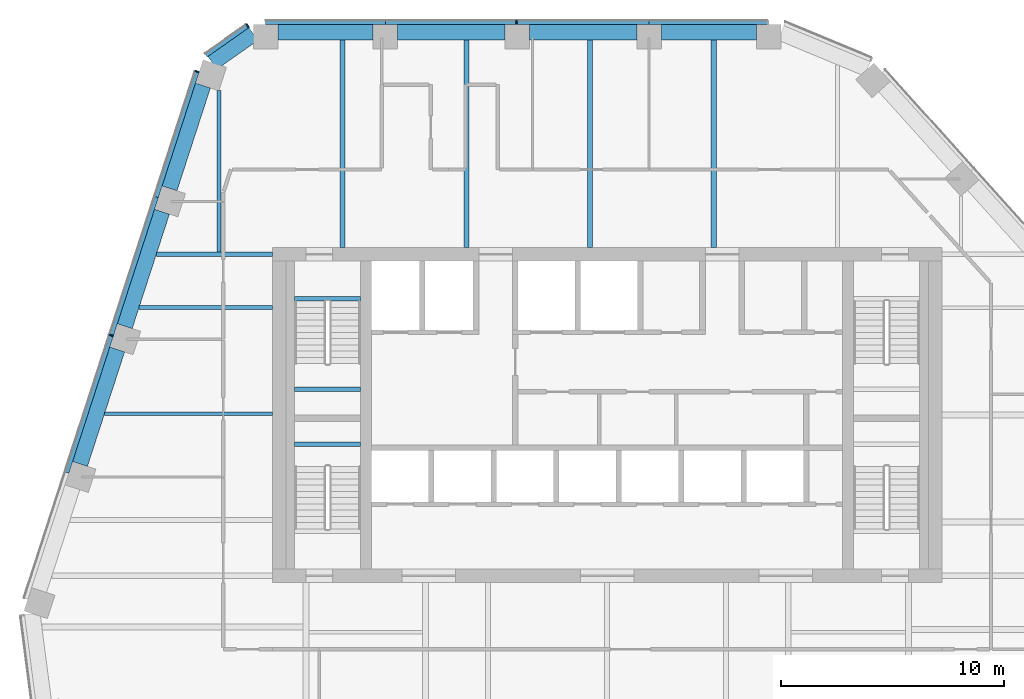
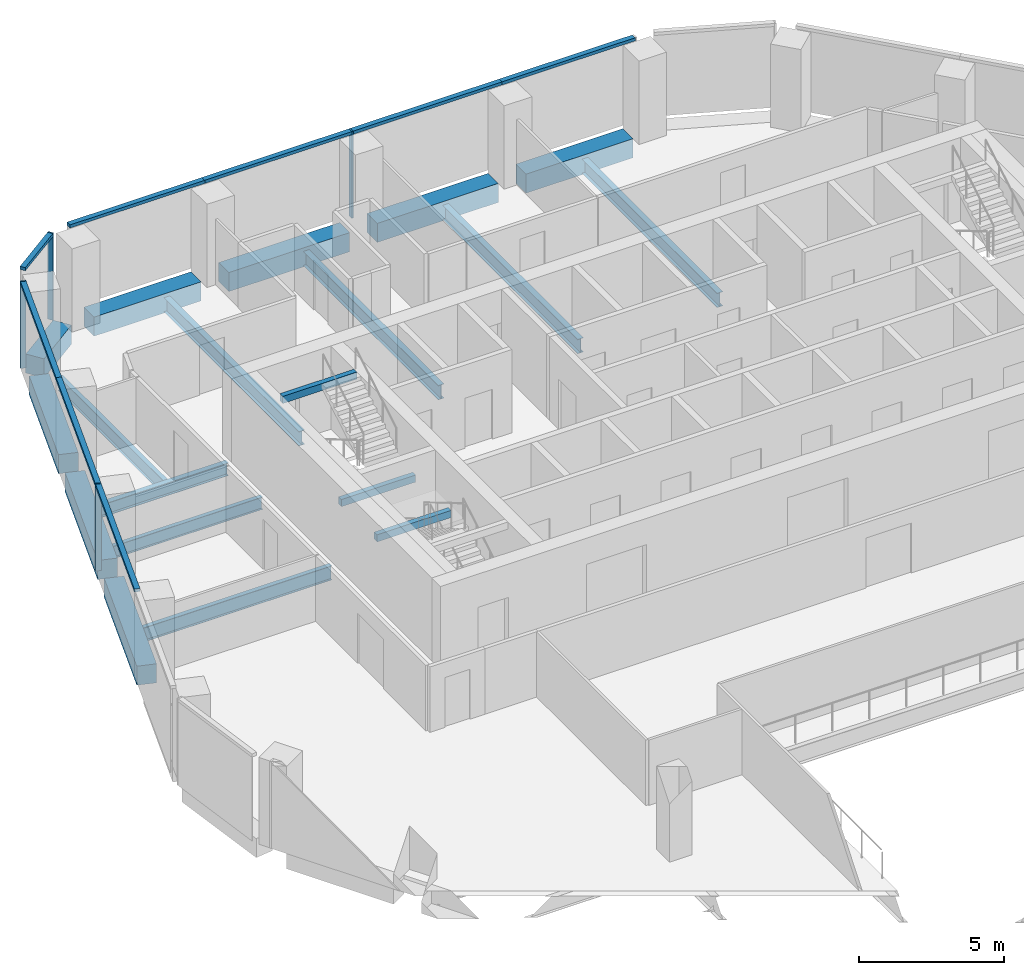
# One storey, part 6 of 15: 19 beams, 12 members, 3 elements without a shape of their own.
"""IFC4 building model written with IfcOpenShell, lengths in metres."""

from ifc_helpers import new_model, si_unit, direction, frame, origin, origin_2d, place, context, subcontext, project, spatial, rectangle, i_section, extrude, material, layer, layer_set, material_profile, profile_set, type_object, element, aggregate, save


model = new_model("IFC4")

# Units and contexts
model_context = context("Model", 3, precision=1e-05, world=origin(), true_north=direction((0.0, 1.0)))
body_context = subcontext(model_context, "Body", "Model", "MODEL_VIEW")
ifc_project = project(units=[si_unit("LENGTHUNIT", "METRE"), si_unit("AREAUNIT", "SQUARE_METRE"), si_unit("VOLUMEUNIT", "CUBIC_METRE"), si_unit("PLANEANGLEUNIT", "RADIAN"), si_unit("MASSUNIT", "GRAM", prefix="KILO")], contexts=[model_context])

# Site, building, storey
site_placement = place(None, origin())
site = spatial("IfcSite", under=ifc_project, at=site_placement, CompositionType="ELEMENT")
building_placement = place(site_placement, origin())
building = spatial("IfcBuilding", under=site, at=building_placement, Name="Isthmus Gate Tower", CompositionType="ELEMENT")
storey_placement = place(building_placement, frame((0.0, 0.0, 230.89990234375)))
storey = spatial("IfcBuildingStorey", under=building, at=storey_placement, Name="L58", CompositionType="ELEMENT", Elevation=230.89990234375)

# Curtain wall, member
ifc_material_1 = material(Name="Aluminium, pale champagne anodised", Category="aluminium")
ifc_layer = layer(ifc_material_1, 0.199951171875)
ifc_layer_set = layer_set([ifc_layer], Name="CW-1 UNITISED CURTAIN WALL 200 DEEP")
curtain_wall_type = type_object("IfcCurtainWallType", Name="CW-1 UNITISED CURTAIN WALL 200 DEEP", PredefinedType="NOTDEFINED", material=ifc_layer_set)
curtain_wall_1_placement = place(storey_placement, origin())
curtain_wall_1 = element("IfcCurtainWall", 1, at=curtain_wall_1_placement, inside=storey, type_object=curtain_wall_type, Name="CW-1 N L58", PredefinedType="NOTDEFINED")
ifc_material_2 = material(Name="Aluminium, pale champagne anodised", Category="aluminium")
ifc_material_profile_1 = material_profile(ifc_material_2, rectangle(XDim=0.06005859375, YDim=0.199951171875, at=origin_2d()), Name="60x200")
ifc_profile_set_1 = profile_set([ifc_material_profile_1], Name="Aluminium, pale champagne anodised")
member_type_1 = type_object("IfcMemberType", Name="CW-1 MULLION 60 X 200", PredefinedType="MULLION", material=ifc_profile_set_1)
member_1_placement = place(storey_placement, frame((-4.06005859375, 25.10009765625, 0.0), z_axis=(0.0, 0.0, 1.0), x_axis=(-1.0, 0.0, 0.0)))
member_1 = element("IfcMember", 2, at=member_1_placement, type_object=member_type_1, Name="CW-1 mullion", PredefinedType="MULLION", context=body_context, shape_type="SweptSolid", body=[
    extrude(rectangle(XDim=0.06005859375, YDim=0.199951171875, at=origin_2d()), origin(), (0.0, 0.0, 1.0), 3.650146484375),
])

curtain_wall_2_placement = place(storey_placement, origin())
curtain_wall_2 = element("IfcCurtainWall", 3, at=curtain_wall_2_placement, inside=storey, type_object=curtain_wall_type, Name="CW-1 N-NW L58", PredefinedType="NOTDEFINED")
member_2_placement = place(storey_placement, frame((-16.10595703125, 24.943115234375, 0.0), z_axis=(0.0, 0.0, 1.0), x_axis=(-0.81785959165, -0.57541783805, 0.0)))
member_2 = element("IfcMember", 4, at=member_2_placement, type_object=member_type_1, Name="CW-1 mullion", PredefinedType="MULLION", context=body_context, shape_type="SweptSolid", body=[
    extrude(rectangle(XDim=0.06005859375, YDim=0.199951171875, at=origin_2d()), origin(), (0.0, 0.0, 1.0), 3.650146484375),
])

# Curtain wall, members
curtain_wall_3_placement = place(storey_placement, origin())
curtain_wall_3 = element("IfcCurtainWall", 5, at=curtain_wall_3_placement, inside=storey, type_object=curtain_wall_type, Name="CW-1 NW L58", PredefinedType="NOTDEFINED")
member_3_placement = place(storey_placement, frame((-18.37841796875, 22.894287109375, 0.0), z_axis=(0.0, 0.0, 1.0), x_axis=(-0.309016994375, -0.951056516295, 0.0)))
member_3 = element("IfcMember", 6, at=member_3_placement, type_object=member_type_1, Name="CW-1 mullion", PredefinedType="MULLION", context=body_context, shape_type="SweptSolid", body=[
    extrude(rectangle(XDim=0.06005859375, YDim=0.199951171875, at=origin_2d()), origin(), (0.0, 0.0, 1.0), 3.650146484375),
])
member_4_placement = place(storey_placement, frame((-22.220703125, 11.069091796875, 0.0), z_axis=(0.0, 0.0, 1.0), x_axis=(-0.309016994375, -0.951056516295, 0.0)))
member_4 = element("IfcMember", 7, at=member_4_placement, type_object=member_type_1, Name="CW-1 mullion", PredefinedType="MULLION", context=body_context, shape_type="SweptSolid", body=[
    extrude(rectangle(XDim=0.06005859375, YDim=0.199951171875, at=origin_2d()), origin(), (0.0, 0.0, 1.0), 3.650146484375),
])

# Member
ifc_material_3 = material(Name="Aluminium, pale champagne anodised", Category="aluminium")
ifc_material_profile_2 = material_profile(ifc_material_3, rectangle(XDim=0.199951171875, YDim=0.1298828125, at=origin_2d()), Name="200x130")
ifc_profile_set_2 = profile_set([ifc_material_profile_2], Name="Aluminium, pale champagne anodised")
member_type_2 = type_object("IfcMemberType", Name="CW-1 TRANSOM 200 X 130", PredefinedType="USERDEFINED", material=ifc_profile_set_2)
member_5_placement = place(storey_placement, frame((7.18115234375, 25.10009765625, 3.585205078125), z_axis=(-1.0, 0.0, 0.0), x_axis=(0.0, -1.0, 0.0)))
member_5 = element("IfcMember", 8, at=member_5_placement, type_object=member_type_2, Name="CW-1 transom", ObjectType="TRANSOM", PredefinedType="USERDEFINED", context=body_context, shape_type="SweptSolid", body=[
    extrude(rectangle(XDim=0.199951171875, YDim=0.1298828125, at=origin_2d()), origin(), (0.0, 0.0, 1.0), 5.300537109375),
])

member_6_placement = place(storey_placement, frame((1.880615234375, 25.10009765625, 3.585205078125), z_axis=(-1.0, 0.0, 0.0), x_axis=(0.0, -1.0, 0.0)))
member_6 = element("IfcMember", 9, at=member_6_placement, type_object=member_type_2, Name="CW-1 transom", ObjectType="TRANSOM", PredefinedType="USERDEFINED", context=body_context, shape_type="SweptSolid", body=[
    extrude(rectangle(XDim=0.199951171875, YDim=0.1298828125, at=origin_2d()), origin(), (0.0, 0.0, 1.0), 5.91064453125),
])

member_7_placement = place(storey_placement, frame((-4.090087890625, 25.10009765625, 3.585205078125), z_axis=(-1.0, 0.0, 0.0), x_axis=(0.0, -1.0, 0.0)))
member_7 = element("IfcMember", 10, at=member_7_placement, type_object=member_type_2, Name="CW-1 transom", ObjectType="TRANSOM", PredefinedType="USERDEFINED", context=body_context, shape_type="SweptSolid", body=[
    extrude(rectangle(XDim=0.199951171875, YDim=0.1298828125, at=origin_2d()), origin(), (0.0, 0.0, 1.0), 5.8505859375),
])

member_8_placement = place(storey_placement, frame((-9.940673828125, 25.10009765625, 3.585205078125), z_axis=(-1.0, 0.0, 0.0), x_axis=(0.0, -1.0, 0.0)))
member_8 = element("IfcMember", 11, at=member_8_placement, type_object=member_type_2, Name="CW-1 transom", ObjectType="TRANSOM", PredefinedType="USERDEFINED", context=body_context, shape_type="SweptSolid", body=[
    extrude(rectangle(XDim=0.199951171875, YDim=0.1298828125, at=origin_2d()), origin(), (0.0, 0.0, 1.0), 5.360595703125),
])

aggregate(curtain_wall_1, [member_5, member_6, member_1, member_7, member_8])

member_9_placement = place(storey_placement, frame((-16.130615234375, 24.92578125, 3.585205078125), z_axis=(-0.817868595604, -0.575405040233, 0.0), x_axis=(0.575405040233, -0.817868595604, 0.0)))
member_9 = element("IfcMember", 12, at=member_9_placement, type_object=member_type_2, Name="CW-1 transom", ObjectType="TRANSOM", PredefinedType="USERDEFINED", context=body_context, shape_type="SweptSolid", body=[
    extrude(rectangle(XDim=0.199951171875, YDim=0.1298828125, at=origin_2d()), origin(), (0.0, 0.0, 1.0), 2.258544921875),
])

aggregate(curtain_wall_2, [member_2, member_9])

member_10_placement = place(storey_placement, frame((-18.3876953125, 22.86572265625, 3.585205078125), z_axis=(-0.309021311898, -0.951055113436, 0.0), x_axis=(0.951055113436, -0.309021311898, 0.0)))
member_10 = element("IfcMember", 13, at=member_10_placement, type_object=member_type_2, Name="CW-1 transom", ObjectType="TRANSOM", PredefinedType="USERDEFINED", context=body_context, shape_type="SweptSolid", body=[
    extrude(rectangle(XDim=0.199951171875, YDim=0.1298828125, at=origin_2d()), origin(), (0.0, 0.0, 1.0), 5.8818359375),
])

member_11_placement = place(storey_placement, frame((-20.205322265625, 17.271728515625, 3.585205078125), z_axis=(-0.309020593362, -0.951055346906, 0.0), x_axis=(0.951055346906, -0.309020593362, 0.0)))
member_11 = element("IfcMember", 14, at=member_11_placement, type_object=member_type_2, Name="CW-1 transom", ObjectType="TRANSOM", PredefinedType="USERDEFINED", context=body_context, shape_type="SweptSolid", body=[
    extrude(rectangle(XDim=0.199951171875, YDim=0.1298828125, at=origin_2d()), origin(), (0.0, 0.0, 1.0), 6.49169921875),
])

member_12_placement = place(storey_placement, frame((-22.22998046875, 11.04052734375, 3.585205078125), z_axis=(-0.309010542947, -0.951058612467, 0.0), x_axis=(0.951058612467, -0.309010542947, 0.0)))
member_12 = element("IfcMember", 15, at=member_12_placement, type_object=member_type_2, Name="CW-1 transom", ObjectType="TRANSOM", PredefinedType="USERDEFINED", context=body_context, shape_type="SweptSolid", body=[
    extrude(rectangle(XDim=0.199951171875, YDim=0.1298828125, at=origin_2d()), origin(), (0.0, 0.0, 1.0), 6.431884765625),
])

aggregate(curtain_wall_3, [member_3, member_10, member_11, member_4, member_12])

# Beams
ifc_material_4 = material(Name="Concrete f'c 50 MPa", Category="concrete")
ifc_material_profile_3 = material_profile(ifc_material_4, rectangle(XDim=0.699951171875, YDim=0.800048828125, at=origin_2d()), Name="RC 700X800")
ifc_profile_set_3 = profile_set([ifc_material_profile_3], Name="Concrete f'c 50 MPa")
beam_type_1 = type_object("IfcBeamType", Name="RC SPANDREL 700 X 800", PredefinedType="SPANDREL", material=ifc_profile_set_3)
for number, where, z_axis, x_axis, name in (
    (16, (-23.61962890625, 5.307373046875, -0.39990234375), (0.309032831924, 0.951051370218, 0.0), (-0.951051370218, 0.309032831924, 0.0), "str-spandrel-L58-22"),
    (17, (-21.613525390625, 11.481689453125, -0.39990234375), (0.309032831924, 0.951051370218, 0.0), (-0.951051370218, 0.309032831924, 0.0), "str-spandrel-L58-23"),
):
    element("IfcBeam", number, at=place(storey_placement, frame(where, z_axis=z_axis, x_axis=x_axis)), inside=storey, type_object=beam_type_1, Name=name, PredefinedType="SPANDREL", context=body_context, shape_type="SweptSolid", body=[
        extrude(rectangle(XDim=0.699951171875, YDim=0.800048828125, at=origin_2d()), origin(), (0.0, 0.0, 1.0), 5.391845703125),
    ])
beam_1_placement = place(storey_placement, frame((-19.607421875, 17.65576171875, -0.39990234375), z_axis=(0.309033626624, 0.951051111989, 0.0), x_axis=(-0.951051111989, 0.309033626624, 0.0)))
element("IfcBeam", 18, at=beam_1_placement, inside=storey, type_object=beam_type_1, Name="str-spandrel-L58-24", PredefinedType="SPANDREL", context=body_context, shape_type="SweptSolid", body=[
    extrude(rectangle(XDim=0.699951171875, YDim=0.800048828125, at=origin_2d()), origin(), (0.0, 0.0, 1.0), 4.842041015625),
])
beam_2_placement = place(storey_placement, frame((-17.68798828125, 23.27978515625, -0.39990234375), z_axis=(0.817855686701, 0.575423388237, 0.0), x_axis=(-0.575423388237, 0.817855686701, 0.0)))
element("IfcBeam", 19, at=beam_2_placement, inside=storey, type_object=beam_type_1, Name="str-spandrel-L58-25", PredefinedType="SPANDREL", context=body_context, shape_type="SweptSolid", body=[
    extrude(rectangle(XDim=0.699951171875, YDim=0.800048828125, at=origin_2d()), origin(), (0.0, 0.0, 1.0), 2.24560546875),
])
beam_3_placement = place(storey_placement, frame((-14.751220703125, 24.64990234375, -0.39990234375), z_axis=(1.0, 0.0, 0.0), x_axis=(0.0, 1.0, 0.0)))
element("IfcBeam", 20, at=beam_3_placement, inside=storey, type_object=beam_type_1, Name="str-spandrel-L58-26", PredefinedType="SPANDREL", context=body_context, shape_type="SweptSolid", body=[
    extrude(rectangle(XDim=0.699951171875, YDim=0.800048828125, at=origin_2d()), origin(), (0.0, 0.0, 1.0), 4.260498046875),
])
for number, where, z_axis, x_axis, name in (
    (21, (-9.390625, 24.64990234375, -0.39990234375), (1.0, 0.0, 0.0), (0.0, 1.0, 0.0), "str-spandrel-L58-27"),
    (22, (-3.47998046875, 24.64990234375, -0.39990234375), (1.0, 0.0, 0.0), (0.0, 1.0, 0.0), "str-spandrel-L58-28"),
):
    element("IfcBeam", number, at=place(storey_placement, frame(where, z_axis=z_axis, x_axis=x_axis)), inside=storey, type_object=beam_type_1, Name=name, PredefinedType="SPANDREL", context=body_context, shape_type="SweptSolid", body=[
        extrude(rectangle(XDim=0.699951171875, YDim=0.800048828125, at=origin_2d()), origin(), (0.0, 0.0, 1.0), 4.810546875),
    ])
beam_4_placement = place(storey_placement, frame((2.430419921875, 24.64990234375, -0.39990234375), z_axis=(1.0, 0.0, 0.0), x_axis=(0.0, 1.0, 0.0)))
element("IfcBeam", 23, at=beam_4_placement, inside=storey, type_object=beam_type_1, Name="str-spandrel-L58-29", PredefinedType="SPANDREL", context=body_context, shape_type="SweptSolid", body=[
    extrude(rectangle(XDim=0.699951171875, YDim=0.800048828125, at=origin_2d()), origin(), (0.0, 0.0, 1.0), 4.2607421875),
])
ifc_material_5 = material(Name="Concrete f'c 40 MPa", Category="concrete")
ifc_material_profile_4 = material_profile(ifc_material_5, rectangle(XDim=0.199951171875, YDim=0.300048828125, at=origin_2d()), Name="STAIR LANDING BEAM RC 200 X 300")
ifc_profile_set_4 = profile_set([ifc_material_profile_4], Name="Concrete f'c 40 MPa")
beam_type_2 = type_object("IfcBeamType", Name="STAIR LANDING BEAM RC 200 X 300", PredefinedType="BEAM", material=ifc_profile_set_4)
for number, where, z_axis, x_axis, name in (
    (24, (-14.0, 8.64990234375, 1.47509765625), (1.0, 0.0, 0.0), (0.0, 1.0, 0.0), "L58 ST1 landing beam 1"),
    (25, (-14.0, 12.7001953125, 3.35009765625), (1.0, 0.0, 0.0), (0.0, 1.0, 0.0), "L58 ST1 floor-edge seat beam"),
    (26, (-14.0, 6.199951171875, 1.47509765625), (1.0, 0.0, 0.0), (0.0, 1.0, 0.0), "L58 ST7 landing beam 1"),
):
    element("IfcBeam", number, at=place(storey_placement, frame(where, z_axis=z_axis, x_axis=x_axis)), inside=storey, type_object=beam_type_2, Name=name, PredefinedType="BEAM", context=body_context, shape_type="SweptSolid", body=[
        extrude(rectangle(XDim=0.199951171875, YDim=0.300048828125, at=origin_2d()), origin(), (0.0, 0.0, 1.0), 2.949951171875),
    ])
ifc_material_6 = material(Name="Structural steel ASTM A992 Gr 50", Category="steel")
ifc_material_profile_5 = material_profile(ifc_material_6, i_section(OverallWidth=0.1650390625, OverallDepth=0.52392578125, WebThickness=0.009521484375, FlangeThickness=0.010986328125, at=origin_2d()), Name="W21X44")
ifc_profile_set_5 = profile_set([ifc_material_profile_5], Name="Structural steel ASTM A992 Gr 50")
beam_type_3 = type_object("IfcBeamType", Name="STEEL FLOOR BEAM W21X44", PredefinedType="JOIST", material=ifc_profile_set_5)
beam_5_placement = place(storey_placement, frame((-20.973388671875, 12.319091796875, -0.411865234375), z_axis=(1.0, 0.0, 0.0), x_axis=(0.0, 1.0, 0.0)))
element("IfcBeam", 27, at=beam_5_placement, inside=storey, type_object=beam_type_3, Name="str-beam-L58-00-02", PredefinedType="JOIST", context=body_context, shape_type="SweptSolid", body=[
    extrude(i_section(OverallWidth=0.1650390625, OverallDepth=0.52392578125, WebThickness=0.009521484375, FlangeThickness=0.010986328125, at=origin_2d()), origin(), (0.0, 0.0, 1.0), 5.973388671875),
])
ifc_material_7 = material(Name="Structural steel ASTM A992 Gr 50", Category="steel")
ifc_material_profile_6 = material_profile(ifc_material_7, i_section(OverallWidth=0.177734375, OverallDepth=0.60009765625, WebThickness=0.009521484375, FlangeThickness=0.0126953125, at=origin_2d()), Name="W24X55")
ifc_profile_set_6 = profile_set([ifc_material_profile_6], Name="Structural steel ASTM A992 Gr 50")
beam_type_4 = type_object("IfcBeamType", Name="STEEL FLOOR BEAM W24X55", PredefinedType="JOIST", material=ifc_profile_set_6)
beam_6_placement = place(storey_placement, frame((-22.520751953125, 7.55712890625, -0.449951171875), z_axis=(1.0, 0.0, 0.0), x_axis=(0.0, 1.0, 0.0)))
element("IfcBeam", 28, at=beam_6_placement, inside=storey, type_object=beam_type_4, Name="str-beam-L58-00-01", PredefinedType="JOIST", context=body_context, shape_type="SweptSolid", body=[
    extrude(i_section(OverallWidth=0.177734375, OverallDepth=0.60009765625, WebThickness=0.009521484375, FlangeThickness=0.0126953125, at=origin_2d()), origin(), (0.0, 0.0, 1.0), 7.520751953125),
])
beam_7_placement = place(storey_placement, frame((-17.394287109375, 14.8046875, -0.449951171875), z_axis=(0.0, 1.0, 0.0), x_axis=(-1.0, 0.0, 0.0)))
element("IfcBeam", 29, at=beam_7_placement, inside=storey, type_object=beam_type_4, Name="str-beam-L58-05-00", PredefinedType="JOIST", context=body_context, shape_type="SweptSolid", body=[
    extrude(i_section(OverallWidth=0.177734375, OverallDepth=0.60009765625, WebThickness=0.009521484375, FlangeThickness=0.0126953125, at=origin_2d()), origin(), (0.0, 0.0, 1.0), 7.235107421875),
])
ifc_material_8 = material(Name="Structural steel ASTM A992 Gr 50", Category="steel")
ifc_material_profile_7 = material_profile(ifc_material_8, i_section(OverallWidth=0.228515625, OverallDepth=0.603271484375, WebThickness=0.010986328125, FlangeThickness=0.014404296875, at=origin_2d()), Name="W24X68")
ifc_profile_set_7 = profile_set([ifc_material_profile_7], Name="Structural steel ASTM A992 Gr 50")
beam_type_5 = type_object("IfcBeamType", Name="STEEL FLOOR BEAM W24X68", PredefinedType="JOIST", material=ifc_profile_set_7)
for number, where, z_axis, x_axis, name in (
    (30, (-11.8515625, 15.0, -0.451416015625), (0.0, 1.0, 0.0), (-1.0, 0.0, 0.0), "str-beam-L58-05-01"),
    (31, (-6.308837890625, 15.0, -0.451416015625), (0.0, 1.0, 0.0), (-1.0, 0.0, 0.0), "str-beam-L58-05-02"),
    (32, (-0.76611328125, 15.0, -0.451416015625), (0.0, 1.0, 0.0), (-1.0, 0.0, 0.0), "str-beam-L58-05-03"),
    (33, (4.776611328125, 15.0, -0.451416015625), (0.0, 1.0, 0.0), (-1.0, 0.0, 0.0), "str-beam-L58-05-04"),
):
    element("IfcBeam", number, at=place(storey_placement, frame(where, z_axis=z_axis, x_axis=x_axis)), inside=storey, type_object=beam_type_5, Name=name, PredefinedType="JOIST", context=body_context, shape_type="SweptSolid", body=[
        extrude(i_section(OverallWidth=0.228515625, OverallDepth=0.603271484375, WebThickness=0.010986328125, FlangeThickness=0.014404296875, at=origin_2d()), origin(), (0.0, 0.0, 1.0), 9.300048828125),
    ])
ifc_material_9 = material(Name="Structural steel ASTM A992 Gr 50", Category="steel")
ifc_material_profile_8 = material_profile(ifc_material_9, i_section(OverallWidth=0.20947265625, OverallDepth=0.533447265625, WebThickness=0.009521484375, FlangeThickness=0.015869140625, at=origin_2d()), Name="W21X62")
ifc_profile_set_8 = profile_set([ifc_material_profile_8], Name="Structural steel ASTM A992 Gr 50")
beam_type_6 = type_object("IfcBeamType", Name="STEEL GIRDER W21X62", PredefinedType="BEAM", material=ifc_profile_set_8)
beam_8_placement = place(storey_placement, frame((-15.0, 14.699951171875, -0.41650390625), z_axis=(-1.0, 0.0, 0.0), x_axis=(0.0, -1.0, 0.0)))
element("IfcBeam", 34, at=beam_8_placement, inside=storey, type_object=beam_type_6, Name="str-girder-L58-11", PredefinedType="BEAM", context=body_context, shape_type="SweptSolid", body=[
    extrude(i_section(OverallWidth=0.20947265625, OverallDepth=0.533447265625, WebThickness=0.009521484375, FlangeThickness=0.015869140625, at=origin_2d()), origin(), (0.0, 0.0, 1.0), 5.19970703125),
])

save(model, "model.ifc")
